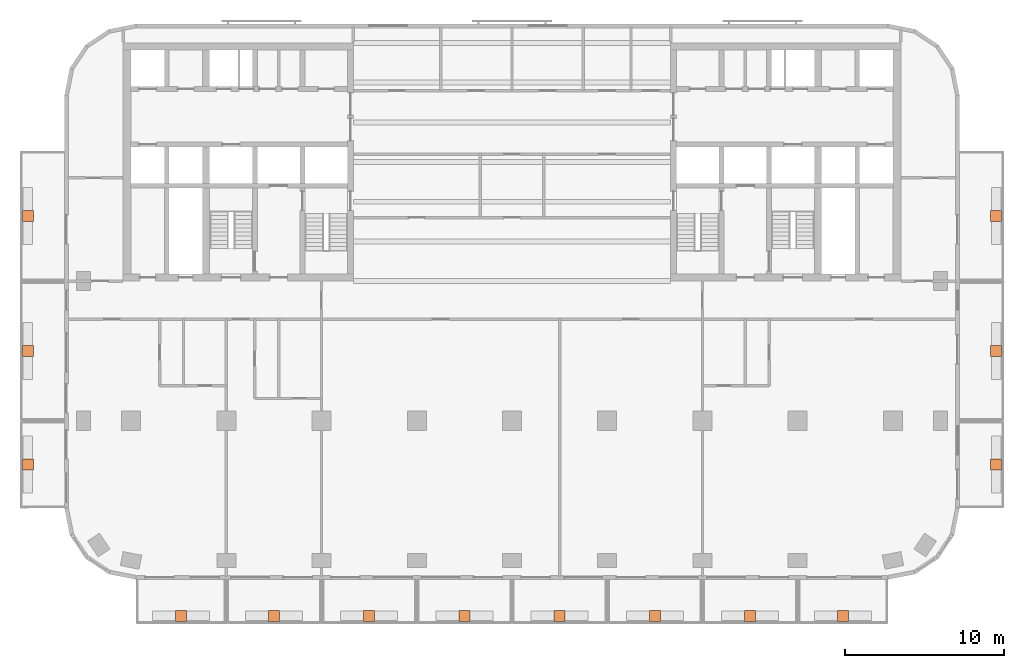
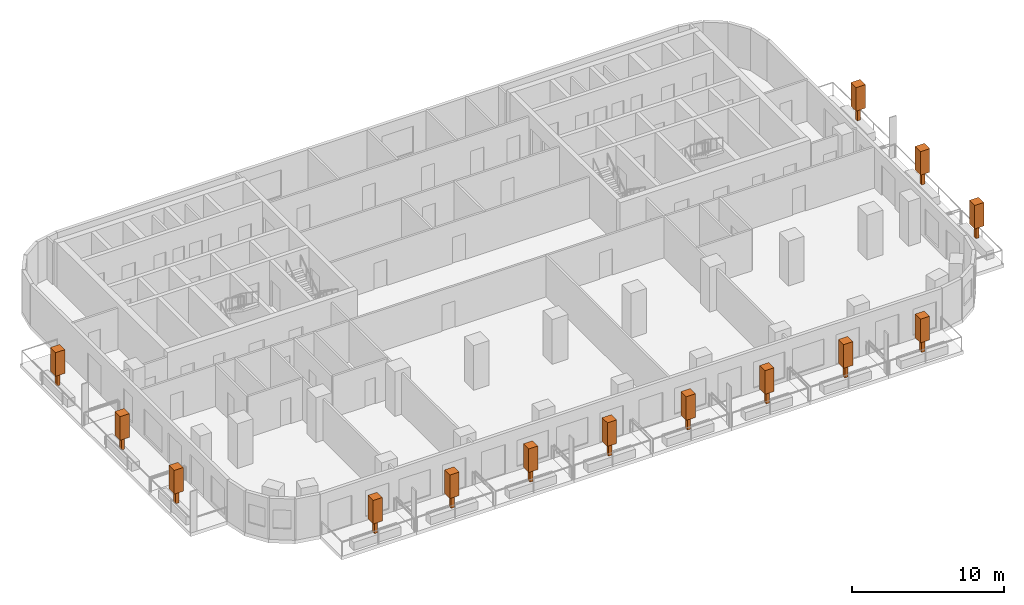
# One storey, part 11 of 11: 14 geographic elements.
"""IFC4 building model written with IfcOpenShell, lengths in metres."""

from ifc_helpers import new_model, si_unit, direction, frame, origin, origin_2d, place, context, subcontext, project, spatial, rectangle, extrude, material, element, save


model = new_model("IFC4")

# Units and contexts
model_context = context("Model", 3, precision=1e-05, world=origin(), true_north=direction((0.0, 1.0)))
body_context = subcontext(model_context, "Body", "Model", "MODEL_VIEW")
ifc_project = project(units=[si_unit("LENGTHUNIT", "METRE"), si_unit("AREAUNIT", "SQUARE_METRE"), si_unit("VOLUMEUNIT", "CUBIC_METRE"), si_unit("PLANEANGLEUNIT", "RADIAN"), si_unit("MASSUNIT", "GRAM", prefix="KILO")], contexts=[model_context])

# Site, building, storey
site_placement = place(None, origin())
site = spatial("IfcSite", under=ifc_project, at=site_placement, CompositionType="ELEMENT")
building_placement = place(site_placement, origin())
building = spatial("IfcBuilding", under=site, at=building_placement, Name="Torana Hotel and Residences", CompositionType="ELEMENT")
storey_placement = place(building_placement, frame((0.0, 0.0, 170.39990234375)))
storey = spatial("IfcBuildingStorey", under=building, at=storey_placement, Name="L44", CompositionType="ELEMENT", Elevation=170.39990234375)

# Geographic elements
ifc_material = material(Name="Foliage", Category="planting")
for number, where, z_axis, x_axis, name in (
    (1, (-20.85009765625, -36.10009765625, 0.650146484375), (0.0, 0.0, 1.0), (1.0, 0.0, 0.0), "Tree 01"),
    (2, (-15.0, -36.10009765625, 0.650146484375), (0.0, 0.0, 1.0), (1.0, 0.0, 0.0), "Tree 02"),
    (3, (-9.0, -36.10009765625, 0.650146484375), (0.0, 0.0, 1.0), (1.0, 0.0, 0.0), "Tree 03"),
    (4, (-3.0, -36.10009765625, 0.650146484375), (0.0, 0.0, 1.0), (1.0, 0.0, 0.0), "Tree 04"),
    (5, (3.0, -36.10009765625, 0.650146484375), (0.0, 0.0, 1.0), (1.0, 0.0, 0.0), "Tree 05"),
    (6, (9.0, -36.10009765625, 0.650146484375), (0.0, 0.0, 1.0), (1.0, 0.0, 0.0), "Tree 06"),
    (7, (15.0, -36.10009765625, 0.650146484375), (0.0, 0.0, 1.0), (1.0, 0.0, 0.0), "Tree 07"),
    (8, (20.85009765625, -36.10009765625, 0.650146484375), (0.0, 0.0, 1.0), (1.0, 0.0, 0.0), "Tree 08"),
    (9, (-30.5, -26.550048828125, 0.650146484375), (0.0, 0.0, 1.0), (1.0, 0.0, 0.0), "Tree 09"),
    (10, (-30.5, -19.39990234375, 0.650146484375), (0.0, 0.0, 1.0), (1.0, 0.0, 0.0), "Tree 10"),
    (11, (-30.5, -10.89990234375, 0.650146484375), (0.0, 0.0, 1.0), (1.0, 0.0, 0.0), "Tree 11"),
    (12, (30.5, -26.550048828125, 0.650146484375), (0.0, 0.0, 1.0), (1.0, 0.0, 0.0), "Tree 12"),
    (13, (30.5, -19.39990234375, 0.650146484375), (0.0, 0.0, 1.0), (1.0, 0.0, 0.0), "Tree 13"),
    (14, (30.5, -10.89990234375, 0.650146484375), (0.0, 0.0, 1.0), (1.0, 0.0, 0.0), "Tree 14"),
):
    element("IfcGeographicElement", number, at=place(storey_placement, frame(where, z_axis=z_axis, x_axis=x_axis)), inside=storey, material=ifc_material, Name=name, ObjectType="TREE", PredefinedType="USERDEFINED", context=body_context, shape_type="SweptSolid", body=[
        extrude(rectangle(XDim=0.25, YDim=0.25, at=origin_2d()), origin(), (0.0, 0.0, 1.0), 1.0),
        extrude(rectangle(XDim=0.699951171875, YDim=0.699951171875, at=origin_2d()), frame((0.0, 0.0, 1.0)), (0.0, 0.0, 1.0), 1.89990234375),
    ])

save(model, "model.ifc")
